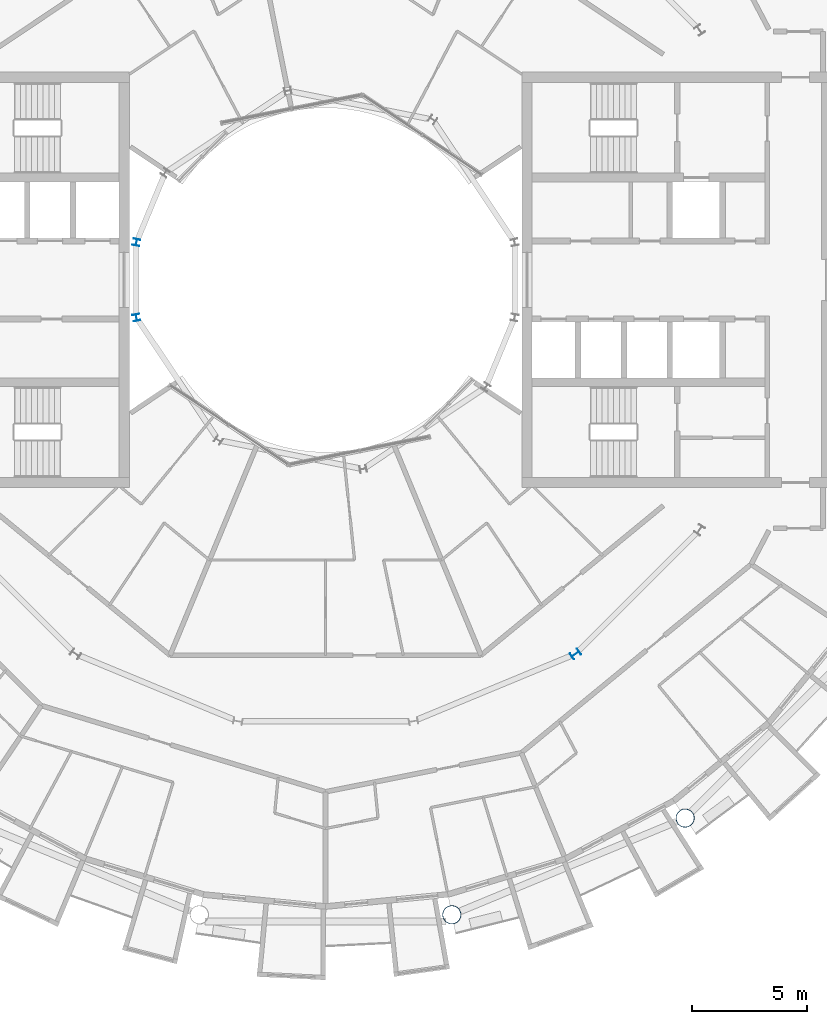
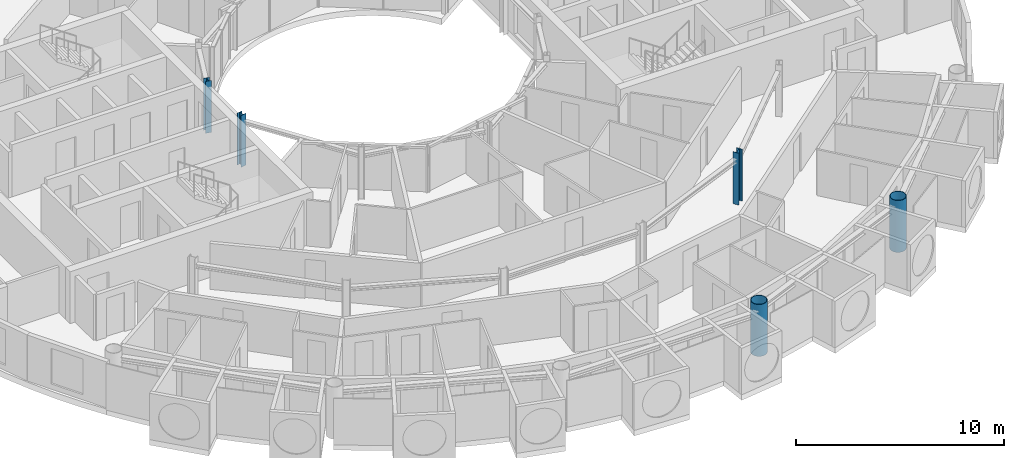
# One storey, part 2 of 28: 5 columns.
"""IFC4 building model written with IfcOpenShell, lengths in metres."""

import ifcopenshell
import ifcopenshell.guid

model = None  # the IFC model being written
_history = None  # IfcOwnerHistory: only IFC2X3 demands one
_inside = {}  # id of a spatial element -> (the spatial element, [elements in it])
_under = {}  # id of a project, library or spatial element -> (it, [spatial elements below it])
_declared = {}  # id of a project -> (the project, [libraries it declares])
_typed = {}  # id of a type object -> (the type object, [elements of that type])
_made_of = {}  # id of a material, layer set ... -> (it, [elements and type objects made of it])


def new_model(schema):
    """Start an empty IFC model of exactly this schema.

    Asked for "IFC4X3", IfcOpenShell would pick the latest addendum, in which some entities
    have other attributes; the version numbers below select the first issue.
    IFC2X3 requires an IfcOwnerHistory on every rooted entity: one is made here for all.
    """
    global model, _history
    if schema == "IFC4X3":
        model = ifcopenshell.file(schema_version=(4, 3, 0, 0))
    else:
        model = ifcopenshell.file(schema=schema)
    _inside.clear()
    _under.clear()
    _declared.clear()
    _typed.clear()
    _made_of.clear()
    _history = None
    if model.schema == "IFC2X3":
        org = make("IfcOrganization", Name="unknown")
        user = make(
            "IfcPersonAndOrganization",
            ThePerson=make("IfcPerson", FamilyName="unknown"),
            TheOrganization=org,
        )
        app = make(
            "IfcApplication",
            ApplicationDeveloper=org,
            Version="unknown",
            ApplicationFullName="unknown",
            ApplicationIdentifier="unknown",
        )
        _history = make(
            "IfcOwnerHistory",
            OwningUser=user,
            OwningApplication=app,
            ChangeAction="ADDED",
            CreationDate=0,
        )
    return model


def make(cls, **values):
    """One entity of the class cls with the attributes given. An attribute that is None is left unset."""
    return model.create_entity(
        cls, **{name: value for name, value in values.items() if value is not None}
    )


def rooted(cls, **values):
    """An entity with a GlobalId (a new one), such as an element, a storey or a relation."""
    return make(cls, GlobalId=ifcopenshell.guid.new(), OwnerHistory=_history, **values)


def si_unit(unit_type, name, prefix=None):
    """IfcSIUnit, for example si_unit("LENGTHUNIT", "METRE", prefix="MILLI")."""
    return make("IfcSIUnit", UnitType=unit_type, Prefix=prefix, Name=name)


def assignment(units):
    """IfcUnitAssignment: the units of a project."""
    return None if units is None else make("IfcUnitAssignment", Units=units)


def point(xyz):
    """IfcCartesianPoint."""
    return None if xyz is None else make("IfcCartesianPoint", Coordinates=xyz)


def direction(xyz):
    """IfcDirection."""
    return None if xyz is None else make("IfcDirection", DirectionRatios=xyz)


def frame(location, z_axis=None, x_axis=None):
    """IfcAxis2Placement3D, a coordinate frame: its origin and axes. An axis left out is left unset."""
    return make(
        "IfcAxis2Placement3D",
        Location=point(location),
        Axis=direction(z_axis),
        RefDirection=direction(x_axis),
    )


def frame_2d(location, x_axis=None):
    """IfcAxis2Placement2D, a coordinate frame in the plane: its origin and x axis."""
    return make(
        "IfcAxis2Placement2D", Location=point(location), RefDirection=direction(x_axis)
    )


def origin():
    """The frame at (0, 0, 0) with its axes left unset."""
    return frame((0.0, 0.0, 0.0))


def origin_2d():
    """The frame at (0, 0) in the plane with its x axis left unset."""
    return frame_2d((0.0, 0.0))


def place(relative_to, where):
    """IfcLocalPlacement: puts the frame where relative to a parent placement (None: the world)."""
    return make(
        "IfcLocalPlacement", PlacementRelTo=relative_to, RelativePlacement=where
    )


def context(
    kind, dimensions, precision=None, world=None, true_north=None, identifier=None
):
    """IfcGeometricRepresentationContext, for example the 3D "Model" context."""
    return make(
        "IfcGeometricRepresentationContext",
        ContextIdentifier=identifier,
        ContextType=kind,
        CoordinateSpaceDimension=dimensions,
        Precision=precision,
        WorldCoordinateSystem=world,
        TrueNorth=true_north,
    )


def subcontext(parent, identifier, kind, view, scale=None):
    """IfcGeometricRepresentationSubContext, for example "Body" below "Model"."""
    return make(
        "IfcGeometricRepresentationSubContext",
        ContextIdentifier=identifier,
        ContextType=kind,
        ParentContext=parent,
        TargetScale=scale,
        TargetView=view,
    )


def project(units=None, contexts=None):
    """IfcProject with its units and contexts."""
    return rooted(
        "IfcProject",
        Name="project",
        RepresentationContexts=contexts,
        UnitsInContext=assignment(units),
    )


def spatial(cls, under=None, at=None, **own):
    """A site, building, storey or space (cls), placed at a placement, below another one or the project."""
    s = rooted(cls, ObjectPlacement=at, **own)
    if under is not None:
        _under.setdefault(under.id(), (under, []))[1].append(s)
    return s


def profile(cls, at=None, kind="AREA", **sizes):
    """A parametric profile (cls). Its sizes go by their IFC names, for example OverallWidth=200.0."""
    return make(cls, ProfileType=kind, Position=at, **sizes)


def hollow_circle(**sizes):
    """IfcCircleHollowProfileDef."""
    return profile("IfcCircleHollowProfileDef", **sizes)


def i_section(**sizes):
    """IfcIShapeProfileDef."""
    return profile("IfcIShapeProfileDef", **sizes)


def extrude(swept, where, along, depth):
    """IfcExtrudedAreaSolid: the profile swept, set in the frame where, extruded along a direction by depth."""
    return make(
        "IfcExtrudedAreaSolid",
        SweptArea=swept,
        Position=where,
        ExtrudedDirection=direction(along),
        Depth=depth,
    )


def shape(context_of_items, identifier, shape_type, items):
    """IfcShapeRepresentation: the items that make up one representation, for example the "Body"."""
    return make(
        "IfcShapeRepresentation",
        ContextOfItems=context_of_items,
        RepresentationIdentifier=identifier,
        RepresentationType=shape_type,
        Items=items,
    )


def material(Name=None, Category=None):
    """IfcMaterial."""
    return make("IfcMaterial", Name=Name, Category=Category)


def material_profile(
    of_material, cross_section, Name=None, Category=None, Priority=None
):
    """IfcMaterialProfile: a cross section and its material."""
    return make(
        "IfcMaterialProfile",
        Name=Name,
        Material=of_material,
        Profile=cross_section,
        Priority=Priority,
        Category=Category,
    )


def profile_set(profiles, Name=None, composite=None):
    """IfcMaterialProfileSet."""
    return make(
        "IfcMaterialProfileSet",
        Name=Name,
        MaterialProfiles=profiles,
        CompositeProfile=composite,
    )


def made_of(thing, what):
    """Note that an element or type object is made of a material, layer set ...; save() writes the relation."""
    if what is not None:
        _made_of.setdefault(what.id(), (what, []))[1].append(thing)
    return thing


def type_object(cls, material=None, **own):
    """A type object (cls), such as IfcWallType, which elements share."""
    return made_of(rooted(cls, **own), material)


def element(
    cls,
    number,
    at=None,
    inside=None,
    cuts=None,
    type_object=None,
    material=None,
    context=None,
    identifier="Body",
    shape_type=None,
    held_by="IfcProductDefinitionShape",
    body=None,
    shapes=None,
    **own,
):
    """One element of the class cls, such as IfcWall. Its Tag is "e" and its number.

    at: its placement. inside: the storey or other place that contains it. cuts: it is an
    opening in that element (IfcRelVoidsElement). A single representation is given by context,
    identifier, shape_type and body (its items); several are given by shapes. held_by: the class
    of the entity that holds the representations. save() writes the other relations.
    """
    e = rooted(cls, Tag="e%d" % number, ObjectPlacement=at, **own)
    if body is not None:
        shapes = [shape(context, identifier, shape_type, body)]
    if shapes is not None:
        e.Representation = make(held_by, Representations=shapes)
    if inside is not None:
        _inside.setdefault(inside.id(), (inside, []))[1].append(e)
    if cuts is not None:
        rooted(
            "IfcRelVoidsElement", RelatingBuildingElement=cuts, RelatedOpeningElement=e
        )
    if type_object is not None:
        _typed.setdefault(type_object.id(), (type_object, []))[1].append(e)
    return made_of(e, material)


def aggregate(whole, parts):
    """IfcRelAggregates: a whole, such as a stair, and the parts it consists of."""
    return rooted("IfcRelAggregates", RelatingObject=whole, RelatedObjects=parts)


def save(model, path):
    """Write the relations noted so far, then the file.

    IfcRelAggregates (storeys below a building ...), IfcRelContainedInSpatialStructure (elements
    in a storey), IfcRelDefinesByType, IfcRelAssociatesMaterial and IfcRelDeclares: one each for
    every whole, place, type object, material and project.
    """
    for whole, parts in _under.values():
        aggregate(whole, parts)
    for where, things in _inside.values():
        rooted(
            "IfcRelContainedInSpatialStructure",
            RelatedElements=things,
            RelatingStructure=where,
        )
    for kind, things in _typed.values():
        rooted("IfcRelDefinesByType", RelatedObjects=things, RelatingType=kind)
    for what, things in _made_of.values():
        rooted("IfcRelAssociatesMaterial", RelatedObjects=things, RelatingMaterial=what)
    for by, libraries in _declared.values():
        rooted("IfcRelDeclares", RelatingContext=by, RelatedDefinitions=libraries)
    model.write(path)


model = new_model("IFC4")

# Units and contexts
model_context = context("Model", 3, precision=1e-05, world=origin(), true_north=direction((0.0, 1.0)))
body_context = subcontext(model_context, "Body", "Model", "MODEL_VIEW")
ifc_project = project(units=[si_unit("LENGTHUNIT", "METRE"), si_unit("AREAUNIT", "SQUARE_METRE"), si_unit("VOLUMEUNIT", "CUBIC_METRE"), si_unit("PLANEANGLEUNIT", "RADIAN"), si_unit("MASSUNIT", "GRAM", prefix="KILO")], contexts=[model_context])

# Site, building, storey
site_placement = place(None, origin())
site = spatial("IfcSite", under=ifc_project, at=site_placement, CompositionType="ELEMENT")
building_placement = place(site_placement, origin())
building = spatial("IfcBuilding", under=site, at=building_placement, Name="Maasbend Ring Residences", CompositionType="ELEMENT")
storey_placement = place(building_placement, frame((0.0, 0.0, 196.300048828125)))
storey = spatial("IfcBuildingStorey", under=building, at=storey_placement, Name="L56", CompositionType="ELEMENT", Elevation=196.300048828125)

# Columns
ifc_material_1 = material(Name="Composite concrete-filled steel tube S460NH / C80/95", Category="concrete")
ifc_material_profile_1 = material_profile(ifc_material_1, hollow_circle(Radius=0.406494140625, WallThickness=0.030029296875, at=origin_2d()), Name="Composite tube column CHS 813x30")
ifc_profile_set_1 = profile_set([ifc_material_profile_1], Name="Composite concrete-filled steel tube S460NH / C80/95")
column_type_1 = type_object("IfcColumnType", Name="Composite tube column CHS 813x30", PredefinedType="COLUMN", material=ifc_profile_set_1)
for number, where, z_axis, x_axis, name in (
    (1, (5.50146484375, -27.658203125, 0.0), (0.0, 0.0, 1.0), (1.0, 0.0, 0.0), "Outer column R13"),
    (2, (15.6669921875, -23.447509765625, 0.0), (0.0, 0.0, 1.0), (1.0, 0.0, 0.0), "Outer column R14"),
):
    element("IfcColumn", number, at=place(storey_placement, frame(where, z_axis=z_axis, x_axis=x_axis)), inside=storey, type_object=column_type_1, Name=name, PredefinedType="COLUMN", context=body_context, shape_type="SweptSolid", body=[
        extrude(hollow_circle(Radius=0.406494140625, WallThickness=0.030029296875, at=origin_2d()), origin(), (0.0, 0.0, 1.0), 3.050048828125),
    ])
ifc_material_2 = material(Name="Steel S355J2", Category="steel")
ifc_material_profile_2 = material_profile(ifc_material_2, i_section(OverallWidth=0.300048828125, OverallDepth=0.2900390625, WebThickness=0.008544921875, FlangeThickness=0.013916015625, FilletRadius=0.027099609375, at=origin_2d()), Name="HEA 300")
ifc_profile_set_2 = profile_set([ifc_material_profile_2], Name="Steel S355J2")
column_type_2 = type_object("IfcColumnType", Name="Steel column HEA 300", PredefinedType="COLUMN", material=ifc_profile_set_2)
for number, where, z_axis, x_axis, name in (
    (3, (-8.238525390625, 1.638916015625, 0.0), (0.0, 0.0, 1.0), (-0.980785280403, 0.195090322016, 0.0), "Well ring column R8"),
    (4, (-8.238525390625, -1.638916015625, 0.0), (0.0, 0.0, 1.0), (-0.980785280403, -0.195090322016, 0.0), "Well ring column R9"),
):
    element("IfcColumn", number, at=place(storey_placement, frame(where, z_axis=z_axis, x_axis=x_axis)), inside=storey, type_object=column_type_2, Name=name, PredefinedType="COLUMN", context=body_context, shape_type="SweptSolid", body=[
        extrude(i_section(OverallWidth=0.300048828125, OverallDepth=0.2900390625, WebThickness=0.008544921875, FlangeThickness=0.013916015625, FilletRadius=0.027099609375, at=origin_2d()), origin(), (0.0, 0.0, 1.0), 3.050048828125),
    ])
ifc_material_3 = material(Name="Steel S355J2", Category="steel")
ifc_material_profile_3 = material_profile(ifc_material_3, i_section(OverallWidth=0.300048828125, OverallDepth=0.39990234375, WebThickness=0.013427734375, FlangeThickness=0.02392578125, FilletRadius=0.027099609375, at=origin_2d()), Name="HEB 400")
ifc_profile_set_3 = profile_set([ifc_material_profile_3], Name="Steel S355J2")
column_type_3 = type_object("IfcColumnType", Name="Steel column HEB 400", PredefinedType="COLUMN", material=ifc_profile_set_3)
column_placement = place(storey_placement, frame((10.88916015625, -16.296875, 0.0), z_axis=(0.0, 0.0, 1.0), x_axis=(0.55557023302, -0.831469612303, 0.0)))
element("IfcColumn", 5, at=column_placement, inside=storey, type_object=column_type_3, Name="Corridor ring column R14", PredefinedType="COLUMN", context=body_context, shape_type="SweptSolid", body=[
    extrude(i_section(OverallWidth=0.300048828125, OverallDepth=0.39990234375, WebThickness=0.013427734375, FlangeThickness=0.02392578125, FilletRadius=0.027099609375, at=origin_2d()), origin(), (0.0, 0.0, 1.0), 3.050048828125),
])

save(model, "model.ifc")
